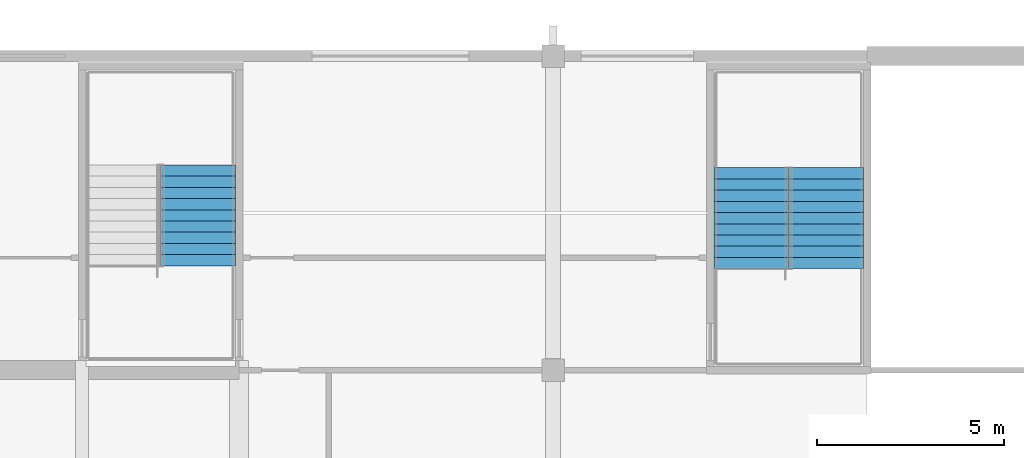
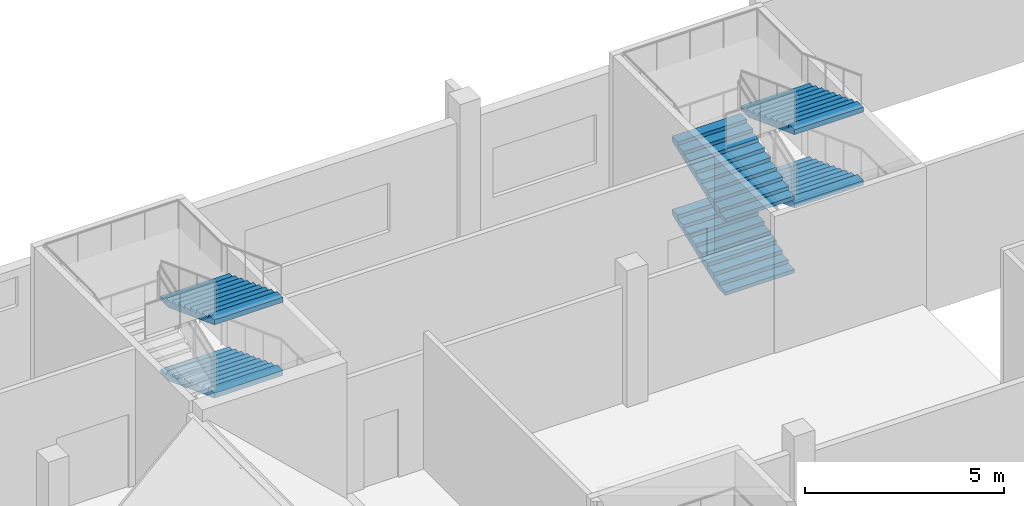
# One storey, part 37 of 56: 6 stair flights, 2 elements without a shape of their own.
"""IFC4 building model written with IfcOpenShell, lengths in metres."""

from ifc_helpers import new_model, si_unit, direction, frame, origin, place, context, subcontext, project, spatial, faceted_brep, material, type_object, element, aggregate, save


model = new_model("IFC4")

# Units and contexts
model_context = context("Model", 3, precision=1e-05, world=origin(), true_north=direction((0.0, 1.0)))
body_context = subcontext(model_context, "Body", "Model", "MODEL_VIEW")
ifc_project = project(units=[si_unit("LENGTHUNIT", "METRE"), si_unit("AREAUNIT", "SQUARE_METRE"), si_unit("VOLUMEUNIT", "CUBIC_METRE"), si_unit("PLANEANGLEUNIT", "RADIAN"), si_unit("MASSUNIT", "GRAM", prefix="KILO")], contexts=[model_context])

# Site, building, storey
site_placement = place(None, origin())
site = spatial("IfcSite", under=ifc_project, at=site_placement, CompositionType="ELEMENT")
building_placement = place(site_placement, origin())
building = spatial("IfcBuilding", under=site, at=building_placement, Name="Rulbaag Community and Learning Centre", CompositionType="ELEMENT")
storey_placement = place(building_placement, frame((0.0, 0.0, 9.89990234375)))
storey = spatial("IfcBuildingStorey", under=building, at=storey_placement, Name="L02", CompositionType="ELEMENT", Elevation=9.89990234375)

# Stair, stair flights
ifc_material = material(Name="Concrete M40", Category="concrete")
stair_type = type_object("IfcStairType", Name="ST-2000 STAIR 2000 WIDE", PredefinedType="HALF_TURN_STAIR", material=ifc_material)
stair_1_placement = place(storey_placement, origin())
stair_1 = element("IfcStair", 1, at=stair_1_placement, inside=storey, type_object=stair_type, Name="Stair ST-H0 L02", PredefinedType="HALF_TURN_STAIR")
stair_flight_type = type_object("IfcStairFlightType", Name="FL-2000 FLIGHT 2000 WIDE Concrete M40", PredefinedType="STRAIGHT", material=ifc_material)
stair_flight_1_placement = place(storey_placement, frame((24.10009765625, 47.487548828125, 1.125), z_axis=(0.0, 0.0, 1.0), x_axis=(0.0, -1.0, 0.0)))
stair_flight_1 = element("IfcStairFlight", 2, at=stair_flight_1_placement, type_object=stair_flight_type, Name="ST-H0 flight 2", NumberOfRisers=10, NumberOfTreads=9, PredefinedType="STRAIGHT", RiserHeight=0.1125, TreadLength=0.3, context=body_context, shape_type="Brep", body=[
    faceted_brep([(0.3984375, -1.0, 0.0), (2.699951171875, -1.0, 0.863037109375), (2.699951171875, -1.0, 1.012451171875), (2.39990234375, -1.0, 1.012451171875), (2.39990234375, -1.0, 0.89990234375), (2.10009765625, -1.0, 0.89990234375), (2.10009765625, -1.0, 0.78759765625), (1.800048828125, -1.0, 0.78759765625), (1.800048828125, -1.0, 0.675048828125), (1.5, -1.0, 0.675048828125), (1.5, -1.0, 0.5625), (1.199951171875, -1.0, 0.5625), (1.199951171875, -1.0, 0.449951171875), (0.89990234375, -1.0, 0.449951171875), (0.89990234375, -1.0, 0.33740234375), (0.60009765625, -1.0, 0.33740234375), (0.60009765625, -1.0, 0.22509765625), (0.300048828125, -1.0, 0.22509765625), (0.300048828125, -1.0, 0.112548828125), (0.0, -1.0, 0.112548828125), (0.0, -1.0, 0.0), (0.0, 1.0, 0.0), (0.0, 1.0, 0.112548828125), (0.300048828125, 1.0, 0.112548828125), (0.300048828125, 1.0, 0.22509765625), (0.60009765625, 1.0, 0.22509765625), (0.60009765625, 1.0, 0.33740234375), (0.89990234375, 1.0, 0.33740234375), (0.89990234375, 1.0, 0.449951171875), (1.199951171875, 1.0, 0.449951171875), (1.199951171875, 1.0, 0.5625), (1.5, 1.0, 0.5625), (1.5, 1.0, 0.675048828125), (1.800048828125, 1.0, 0.675048828125), (1.800048828125, 1.0, 0.78759765625), (2.10009765625, 1.0, 0.78759765625), (2.10009765625, 1.0, 0.89990234375), (2.39990234375, 1.0, 0.89990234375), (2.39990234375, 1.0, 1.012451171875), (2.699951171875, 1.0, 1.012451171875), (2.699951171875, 1.0, 0.863037109375), (0.3984375, 1.0, 0.0), (0.0, -0.333251953125, 0.112548828125), (0.0, -0.333251953125, 0.0), (0.0, 0.333251953125, 0.112548828125), (0.0, 0.333251953125, 0.0), (0.300048828125, -0.333251953125, 0.112548828125), (0.300048828125, 0.333251953125, 0.112548828125), (0.300048828125, -0.333251953125, 0.22509765625), (0.300048828125, 0.333251953125, 0.22509765625), (0.60009765625, -0.333251953125, 0.22509765625), (0.60009765625, 0.333251953125, 0.22509765625), (0.60009765625, -0.333251953125, 0.33740234375), (0.60009765625, 0.333251953125, 0.33740234375), (0.89990234375, -0.333251953125, 0.33740234375), (0.89990234375, 0.333251953125, 0.33740234375), (0.89990234375, -0.333251953125, 0.449951171875), (0.89990234375, 0.333251953125, 0.449951171875), (1.199951171875, -0.333251953125, 0.449951171875), (1.199951171875, 0.333251953125, 0.449951171875), (1.199951171875, -0.333251953125, 0.5625), (1.199951171875, 0.333251953125, 0.5625), (1.5, -0.333251953125, 0.5625), (1.5, 0.333251953125, 0.5625), (1.5, -0.333251953125, 0.675048828125), (1.5, 0.333251953125, 0.675048828125), (1.800048828125, -0.333251953125, 0.675048828125), (1.800048828125, 0.333251953125, 0.675048828125), (1.800048828125, -0.333251953125, 0.78759765625), (1.800048828125, 0.333251953125, 0.78759765625), (2.10009765625, -0.333251953125, 0.78759765625), (2.10009765625, 0.333251953125, 0.78759765625), (2.10009765625, -0.333251953125, 0.89990234375), (2.10009765625, 0.333251953125, 0.89990234375), (2.39990234375, -0.333251953125, 0.89990234375), (2.39990234375, 0.333251953125, 0.89990234375), (2.39990234375, -0.333251953125, 1.012451171875), (2.39990234375, 0.333251953125, 1.012451171875), (2.699951171875, -0.333251953125, 1.012451171875), (2.699951171875, 0.333251953125, 1.012451171875), (2.699951171875, -0.333251953125, 0.863037109375), (2.699951171875, 0.333251953125, 0.863037109375), (0.3984375, -0.333251953125, 0.0), (0.3984375, 0.333251953125, 0.0)], [[[0, 1, 2, 3, 4, 5, 6, 7, 8, 9, 10, 11, 12, 13, 14, 15, 16, 17, 18, 19, 20]], [[21, 22, 23, 24, 25, 26, 27, 28, 29, 30, 31, 32, 33, 34, 35, 36, 37, 38, 39, 40, 41]], [[20, 19, 42, 43]], [[43, 42, 44, 45]], [[45, 44, 22, 21]], [[19, 18, 46, 42]], [[42, 46, 47, 44]], [[44, 47, 23, 22]], [[18, 17, 48, 46]], [[46, 48, 49, 47]], [[47, 49, 24, 23]], [[17, 16, 50, 48]], [[48, 50, 51, 49]], [[49, 51, 25, 24]], [[16, 15, 52, 50]], [[50, 52, 53, 51]], [[51, 53, 26, 25]], [[15, 14, 54, 52]], [[52, 54, 55, 53]], [[53, 55, 27, 26]], [[14, 13, 56, 54]], [[54, 56, 57, 55]], [[55, 57, 28, 27]], [[13, 12, 58, 56]], [[56, 58, 59, 57]], [[57, 59, 29, 28]], [[12, 11, 60, 58]], [[58, 60, 61, 59]], [[59, 61, 30, 29]], [[11, 10, 62, 60]], [[60, 62, 63, 61]], [[61, 63, 31, 30]], [[10, 9, 64, 62]], [[62, 64, 65, 63]], [[63, 65, 32, 31]], [[9, 8, 66, 64]], [[64, 66, 67, 65]], [[65, 67, 33, 32]], [[8, 7, 68, 66]], [[66, 68, 69, 67]], [[67, 69, 34, 33]], [[7, 6, 70, 68]], [[68, 70, 71, 69]], [[69, 71, 35, 34]], [[6, 5, 72, 70]], [[70, 72, 73, 71]], [[71, 73, 36, 35]], [[5, 4, 74, 72]], [[72, 74, 75, 73]], [[73, 75, 37, 36]], [[4, 3, 76, 74]], [[74, 76, 77, 75]], [[75, 77, 38, 37]], [[3, 2, 78, 76]], [[76, 78, 79, 77]], [[77, 79, 39, 38]], [[2, 1, 80, 78]], [[78, 80, 81, 79]], [[79, 81, 40, 39]], [[1, 0, 82, 80]], [[80, 82, 83, 81]], [[81, 83, 41, 40]], [[0, 20, 43, 82]], [[82, 43, 45, 83]], [[83, 45, 21, 41]]]),
])
stair_flight_2_placement = place(storey_placement, frame((24.10009765625, 47.487548828125, 3.375), z_axis=(0.0, 0.0, 1.0), x_axis=(0.0, -1.0, 0.0)))
stair_flight_2 = element("IfcStairFlight", 3, at=stair_flight_2_placement, type_object=stair_flight_type, Name="ST-H0 flight 4", NumberOfRisers=10, NumberOfTreads=9, PredefinedType="STRAIGHT", RiserHeight=0.1125, TreadLength=0.3, context=body_context, shape_type="Brep", body=[
    faceted_brep([(0.3984375, -1.0, 0.0), (2.699951171875, -1.0, 0.863037109375), (2.699951171875, -1.0, 1.012451171875), (2.39990234375, -1.0, 1.012451171875), (2.39990234375, -1.0, 0.89990234375), (2.10009765625, -1.0, 0.89990234375), (2.10009765625, -1.0, 0.78759765625), (1.800048828125, -1.0, 0.78759765625), (1.800048828125, -1.0, 0.675048828125), (1.5, -1.0, 0.675048828125), (1.5, -1.0, 0.5625), (1.199951171875, -1.0, 0.5625), (1.199951171875, -1.0, 0.449951171875), (0.89990234375, -1.0, 0.449951171875), (0.89990234375, -1.0, 0.33740234375), (0.60009765625, -1.0, 0.33740234375), (0.60009765625, -1.0, 0.22509765625), (0.300048828125, -1.0, 0.22509765625), (0.300048828125, -1.0, 0.112548828125), (0.0, -1.0, 0.112548828125), (0.0, -1.0, 0.0), (0.0, 1.0, 0.0), (0.0, 1.0, 0.112548828125), (0.300048828125, 1.0, 0.112548828125), (0.300048828125, 1.0, 0.22509765625), (0.60009765625, 1.0, 0.22509765625), (0.60009765625, 1.0, 0.33740234375), (0.89990234375, 1.0, 0.33740234375), (0.89990234375, 1.0, 0.449951171875), (1.199951171875, 1.0, 0.449951171875), (1.199951171875, 1.0, 0.5625), (1.5, 1.0, 0.5625), (1.5, 1.0, 0.675048828125), (1.800048828125, 1.0, 0.675048828125), (1.800048828125, 1.0, 0.78759765625), (2.10009765625, 1.0, 0.78759765625), (2.10009765625, 1.0, 0.89990234375), (2.39990234375, 1.0, 0.89990234375), (2.39990234375, 1.0, 1.012451171875), (2.699951171875, 1.0, 1.012451171875), (2.699951171875, 1.0, 0.863037109375), (0.3984375, 1.0, 0.0), (0.0, -0.333251953125, 0.112548828125), (0.0, -0.333251953125, 0.0), (0.0, 0.333251953125, 0.112548828125), (0.0, 0.333251953125, 0.0), (0.300048828125, -0.333251953125, 0.112548828125), (0.300048828125, 0.333251953125, 0.112548828125), (0.300048828125, -0.333251953125, 0.22509765625), (0.300048828125, 0.333251953125, 0.22509765625), (0.60009765625, -0.333251953125, 0.22509765625), (0.60009765625, 0.333251953125, 0.22509765625), (0.60009765625, -0.333251953125, 0.33740234375), (0.60009765625, 0.333251953125, 0.33740234375), (0.89990234375, -0.333251953125, 0.33740234375), (0.89990234375, 0.333251953125, 0.33740234375), (0.89990234375, -0.333251953125, 0.449951171875), (0.89990234375, 0.333251953125, 0.449951171875), (1.199951171875, -0.333251953125, 0.449951171875), (1.199951171875, 0.333251953125, 0.449951171875), (1.199951171875, -0.333251953125, 0.5625), (1.199951171875, 0.333251953125, 0.5625), (1.5, -0.333251953125, 0.5625), (1.5, 0.333251953125, 0.5625), (1.5, -0.333251953125, 0.675048828125), (1.5, 0.333251953125, 0.675048828125), (1.800048828125, -0.333251953125, 0.675048828125), (1.800048828125, 0.333251953125, 0.675048828125), (1.800048828125, -0.333251953125, 0.78759765625), (1.800048828125, 0.333251953125, 0.78759765625), (2.10009765625, -0.333251953125, 0.78759765625), (2.10009765625, 0.333251953125, 0.78759765625), (2.10009765625, -0.333251953125, 0.89990234375), (2.10009765625, 0.333251953125, 0.89990234375), (2.39990234375, -0.333251953125, 0.89990234375), (2.39990234375, 0.333251953125, 0.89990234375), (2.39990234375, -0.333251953125, 1.012451171875), (2.39990234375, 0.333251953125, 1.012451171875), (2.699951171875, -0.333251953125, 1.012451171875), (2.699951171875, 0.333251953125, 1.012451171875), (2.699951171875, -0.333251953125, 0.863037109375), (2.699951171875, 0.333251953125, 0.863037109375), (0.3984375, -0.333251953125, 0.0), (0.3984375, 0.333251953125, 0.0)], [[[0, 1, 2, 3, 4, 5, 6, 7, 8, 9, 10, 11, 12, 13, 14, 15, 16, 17, 18, 19, 20]], [[21, 22, 23, 24, 25, 26, 27, 28, 29, 30, 31, 32, 33, 34, 35, 36, 37, 38, 39, 40, 41]], [[20, 19, 42, 43]], [[43, 42, 44, 45]], [[45, 44, 22, 21]], [[19, 18, 46, 42]], [[42, 46, 47, 44]], [[44, 47, 23, 22]], [[18, 17, 48, 46]], [[46, 48, 49, 47]], [[47, 49, 24, 23]], [[17, 16, 50, 48]], [[48, 50, 51, 49]], [[49, 51, 25, 24]], [[16, 15, 52, 50]], [[50, 52, 53, 51]], [[51, 53, 26, 25]], [[15, 14, 54, 52]], [[52, 54, 55, 53]], [[53, 55, 27, 26]], [[14, 13, 56, 54]], [[54, 56, 57, 55]], [[55, 57, 28, 27]], [[13, 12, 58, 56]], [[56, 58, 59, 57]], [[57, 59, 29, 28]], [[12, 11, 60, 58]], [[58, 60, 61, 59]], [[59, 61, 30, 29]], [[11, 10, 62, 60]], [[60, 62, 63, 61]], [[61, 63, 31, 30]], [[10, 9, 64, 62]], [[62, 64, 65, 63]], [[63, 65, 32, 31]], [[9, 8, 66, 64]], [[64, 66, 67, 65]], [[65, 67, 33, 32]], [[8, 7, 68, 66]], [[66, 68, 69, 67]], [[67, 69, 34, 33]], [[7, 6, 70, 68]], [[68, 70, 71, 69]], [[69, 71, 35, 34]], [[6, 5, 72, 70]], [[70, 72, 73, 71]], [[71, 73, 36, 35]], [[5, 4, 74, 72]], [[72, 74, 75, 73]], [[73, 75, 37, 36]], [[4, 3, 76, 74]], [[74, 76, 77, 75]], [[75, 77, 38, 37]], [[3, 2, 78, 76]], [[76, 78, 79, 77]], [[77, 79, 39, 38]], [[2, 1, 80, 78]], [[78, 80, 81, 79]], [[79, 81, 40, 39]], [[1, 0, 82, 80]], [[80, 82, 83, 81]], [[81, 83, 41, 40]], [[0, 20, 43, 82]], [[82, 43, 45, 83]], [[83, 45, 21, 41]]]),
])
aggregate(stair_1, [stair_flight_1, stair_flight_2])

stair_2_placement = place(storey_placement, origin())
stair_2 = element("IfcStair", 4, at=stair_2_placement, inside=storey, type_object=stair_type, Name="Stair ST-H5 L02", PredefinedType="HALF_TURN_STAIR")
stair_flight_3_placement = place(storey_placement, frame((38.89990234375, 44.71240234375, 0.0), z_axis=(0.0, 0.0, 1.0), x_axis=(0.0, 1.0, 0.0)))
stair_flight_3 = element("IfcStairFlight", 5, at=stair_flight_3_placement, type_object=stair_flight_type, Name="ST-H5 flight 1", NumberOfRisers=10, NumberOfTreads=9, PredefinedType="STRAIGHT", RiserHeight=0.1125, TreadLength=0.3, context=body_context, shape_type="Brep", body=[
    faceted_brep([(0.3984375, -1.0, 0.0), (2.699951171875, -1.0, 0.863037109375), (2.699951171875, -1.0, 1.012451171875), (2.39990234375, -1.0, 1.012451171875), (2.39990234375, -1.0, 0.89990234375), (2.10009765625, -1.0, 0.89990234375), (2.10009765625, -1.0, 0.78759765625), (1.800048828125, -1.0, 0.78759765625), (1.800048828125, -1.0, 0.675048828125), (1.5, -1.0, 0.675048828125), (1.5, -1.0, 0.5625), (1.199951171875, -1.0, 0.5625), (1.199951171875, -1.0, 0.449951171875), (0.89990234375, -1.0, 0.449951171875), (0.89990234375, -1.0, 0.33740234375), (0.60009765625, -1.0, 0.33740234375), (0.60009765625, -1.0, 0.22509765625), (0.300048828125, -1.0, 0.22509765625), (0.300048828125, -1.0, 0.112548828125), (0.0, -1.0, 0.112548828125), (0.0, -1.0, 0.0), (0.0, 1.0, 0.0), (0.0, 1.0, 0.112548828125), (0.300048828125, 1.0, 0.112548828125), (0.300048828125, 1.0, 0.22509765625), (0.60009765625, 1.0, 0.22509765625), (0.60009765625, 1.0, 0.33740234375), (0.89990234375, 1.0, 0.33740234375), (0.89990234375, 1.0, 0.449951171875), (1.199951171875, 1.0, 0.449951171875), (1.199951171875, 1.0, 0.5625), (1.5, 1.0, 0.5625), (1.5, 1.0, 0.675048828125), (1.800048828125, 1.0, 0.675048828125), (1.800048828125, 1.0, 0.78759765625), (2.10009765625, 1.0, 0.78759765625), (2.10009765625, 1.0, 0.89990234375), (2.39990234375, 1.0, 0.89990234375), (2.39990234375, 1.0, 1.012451171875), (2.699951171875, 1.0, 1.012451171875), (2.699951171875, 1.0, 0.863037109375), (0.3984375, 1.0, 0.0), (0.0, -0.333251953125, 0.112548828125), (0.0, -0.333251953125, 0.0), (0.0, 0.333251953125, 0.112548828125), (0.0, 0.333251953125, 0.0), (0.300048828125, -0.333251953125, 0.112548828125), (0.300048828125, 0.333251953125, 0.112548828125), (0.300048828125, -0.333251953125, 0.22509765625), (0.300048828125, 0.333251953125, 0.22509765625), (0.60009765625, -0.333251953125, 0.22509765625), (0.60009765625, 0.333251953125, 0.22509765625), (0.60009765625, -0.333251953125, 0.33740234375), (0.60009765625, 0.333251953125, 0.33740234375), (0.89990234375, -0.333251953125, 0.33740234375), (0.89990234375, 0.333251953125, 0.33740234375), (0.89990234375, -0.333251953125, 0.449951171875), (0.89990234375, 0.333251953125, 0.449951171875), (1.199951171875, -0.333251953125, 0.449951171875), (1.199951171875, 0.333251953125, 0.449951171875), (1.199951171875, -0.333251953125, 0.5625), (1.199951171875, 0.333251953125, 0.5625), (1.5, -0.333251953125, 0.5625), (1.5, 0.333251953125, 0.5625), (1.5, -0.333251953125, 0.675048828125), (1.5, 0.333251953125, 0.675048828125), (1.800048828125, -0.333251953125, 0.675048828125), (1.800048828125, 0.333251953125, 0.675048828125), (1.800048828125, -0.333251953125, 0.78759765625), (1.800048828125, 0.333251953125, 0.78759765625), (2.10009765625, -0.333251953125, 0.78759765625), (2.10009765625, 0.333251953125, 0.78759765625), (2.10009765625, -0.333251953125, 0.89990234375), (2.10009765625, 0.333251953125, 0.89990234375), (2.39990234375, -0.333251953125, 0.89990234375), (2.39990234375, 0.333251953125, 0.89990234375), (2.39990234375, -0.333251953125, 1.012451171875), (2.39990234375, 0.333251953125, 1.012451171875), (2.699951171875, -0.333251953125, 1.012451171875), (2.699951171875, 0.333251953125, 1.012451171875), (2.699951171875, -0.333251953125, 0.863037109375), (2.699951171875, 0.333251953125, 0.863037109375), (0.3984375, -0.333251953125, 0.0), (0.3984375, 0.333251953125, 0.0)], [[[0, 1, 2, 3, 4, 5, 6, 7, 8, 9, 10, 11, 12, 13, 14, 15, 16, 17, 18, 19, 20]], [[21, 22, 23, 24, 25, 26, 27, 28, 29, 30, 31, 32, 33, 34, 35, 36, 37, 38, 39, 40, 41]], [[20, 19, 42, 43]], [[43, 42, 44, 45]], [[45, 44, 22, 21]], [[19, 18, 46, 42]], [[42, 46, 47, 44]], [[44, 47, 23, 22]], [[18, 17, 48, 46]], [[46, 48, 49, 47]], [[47, 49, 24, 23]], [[17, 16, 50, 48]], [[48, 50, 51, 49]], [[49, 51, 25, 24]], [[16, 15, 52, 50]], [[50, 52, 53, 51]], [[51, 53, 26, 25]], [[15, 14, 54, 52]], [[52, 54, 55, 53]], [[53, 55, 27, 26]], [[14, 13, 56, 54]], [[54, 56, 57, 55]], [[55, 57, 28, 27]], [[13, 12, 58, 56]], [[56, 58, 59, 57]], [[57, 59, 29, 28]], [[12, 11, 60, 58]], [[58, 60, 61, 59]], [[59, 61, 30, 29]], [[11, 10, 62, 60]], [[60, 62, 63, 61]], [[61, 63, 31, 30]], [[10, 9, 64, 62]], [[62, 64, 65, 63]], [[63, 65, 32, 31]], [[9, 8, 66, 64]], [[64, 66, 67, 65]], [[65, 67, 33, 32]], [[8, 7, 68, 66]], [[66, 68, 69, 67]], [[67, 69, 34, 33]], [[7, 6, 70, 68]], [[68, 70, 71, 69]], [[69, 71, 35, 34]], [[6, 5, 72, 70]], [[70, 72, 73, 71]], [[71, 73, 36, 35]], [[5, 4, 74, 72]], [[72, 74, 75, 73]], [[73, 75, 37, 36]], [[4, 3, 76, 74]], [[74, 76, 77, 75]], [[75, 77, 38, 37]], [[3, 2, 78, 76]], [[76, 78, 79, 77]], [[77, 79, 39, 38]], [[2, 1, 80, 78]], [[78, 80, 81, 79]], [[79, 81, 40, 39]], [[1, 0, 82, 80]], [[80, 82, 83, 81]], [[81, 83, 41, 40]], [[0, 20, 43, 82]], [[82, 43, 45, 83]], [[83, 45, 21, 41]]]),
])
stair_flight_4_placement = place(storey_placement, frame((40.89990234375, 47.41259765625, 1.125), z_axis=(0.0, 0.0, 1.0), x_axis=(0.0, -1.0, 0.0)))
stair_flight_4 = element("IfcStairFlight", 6, at=stair_flight_4_placement, type_object=stair_flight_type, Name="ST-H5 flight 2", NumberOfRisers=10, NumberOfTreads=9, PredefinedType="STRAIGHT", RiserHeight=0.1125, TreadLength=0.3, context=body_context, shape_type="Brep", body=[
    faceted_brep([(0.3984375, -1.0, 0.0), (2.699951171875, -1.0, 0.863037109375), (2.699951171875, -1.0, 1.012451171875), (2.39990234375, -1.0, 1.012451171875), (2.39990234375, -1.0, 0.89990234375), (2.10009765625, -1.0, 0.89990234375), (2.10009765625, -1.0, 0.78759765625), (1.800048828125, -1.0, 0.78759765625), (1.800048828125, -1.0, 0.675048828125), (1.5, -1.0, 0.675048828125), (1.5, -1.0, 0.5625), (1.199951171875, -1.0, 0.5625), (1.199951171875, -1.0, 0.449951171875), (0.89990234375, -1.0, 0.449951171875), (0.89990234375, -1.0, 0.33740234375), (0.60009765625, -1.0, 0.33740234375), (0.60009765625, -1.0, 0.22509765625), (0.300048828125, -1.0, 0.22509765625), (0.300048828125, -1.0, 0.112548828125), (0.0, -1.0, 0.112548828125), (0.0, -1.0, 0.0), (0.0, 1.0, 0.0), (0.0, 1.0, 0.112548828125), (0.300048828125, 1.0, 0.112548828125), (0.300048828125, 1.0, 0.22509765625), (0.60009765625, 1.0, 0.22509765625), (0.60009765625, 1.0, 0.33740234375), (0.89990234375, 1.0, 0.33740234375), (0.89990234375, 1.0, 0.449951171875), (1.199951171875, 1.0, 0.449951171875), (1.199951171875, 1.0, 0.5625), (1.5, 1.0, 0.5625), (1.5, 1.0, 0.675048828125), (1.800048828125, 1.0, 0.675048828125), (1.800048828125, 1.0, 0.78759765625), (2.10009765625, 1.0, 0.78759765625), (2.10009765625, 1.0, 0.89990234375), (2.39990234375, 1.0, 0.89990234375), (2.39990234375, 1.0, 1.012451171875), (2.699951171875, 1.0, 1.012451171875), (2.699951171875, 1.0, 0.863037109375), (0.3984375, 1.0, 0.0), (0.0, -0.333251953125, 0.112548828125), (0.0, -0.333251953125, 0.0), (0.0, 0.333251953125, 0.112548828125), (0.0, 0.333251953125, 0.0), (0.300048828125, -0.333251953125, 0.112548828125), (0.300048828125, 0.333251953125, 0.112548828125), (0.300048828125, -0.333251953125, 0.22509765625), (0.300048828125, 0.333251953125, 0.22509765625), (0.60009765625, -0.333251953125, 0.22509765625), (0.60009765625, 0.333251953125, 0.22509765625), (0.60009765625, -0.333251953125, 0.33740234375), (0.60009765625, 0.333251953125, 0.33740234375), (0.89990234375, -0.333251953125, 0.33740234375), (0.89990234375, 0.333251953125, 0.33740234375), (0.89990234375, -0.333251953125, 0.449951171875), (0.89990234375, 0.333251953125, 0.449951171875), (1.199951171875, -0.333251953125, 0.449951171875), (1.199951171875, 0.333251953125, 0.449951171875), (1.199951171875, -0.333251953125, 0.5625), (1.199951171875, 0.333251953125, 0.5625), (1.5, -0.333251953125, 0.5625), (1.5, 0.333251953125, 0.5625), (1.5, -0.333251953125, 0.675048828125), (1.5, 0.333251953125, 0.675048828125), (1.800048828125, -0.333251953125, 0.675048828125), (1.800048828125, 0.333251953125, 0.675048828125), (1.800048828125, -0.333251953125, 0.78759765625), (1.800048828125, 0.333251953125, 0.78759765625), (2.10009765625, -0.333251953125, 0.78759765625), (2.10009765625, 0.333251953125, 0.78759765625), (2.10009765625, -0.333251953125, 0.89990234375), (2.10009765625, 0.333251953125, 0.89990234375), (2.39990234375, -0.333251953125, 0.89990234375), (2.39990234375, 0.333251953125, 0.89990234375), (2.39990234375, -0.333251953125, 1.012451171875), (2.39990234375, 0.333251953125, 1.012451171875), (2.699951171875, -0.333251953125, 1.012451171875), (2.699951171875, 0.333251953125, 1.012451171875), (2.699951171875, -0.333251953125, 0.863037109375), (2.699951171875, 0.333251953125, 0.863037109375), (0.3984375, -0.333251953125, 0.0), (0.3984375, 0.333251953125, 0.0)], [[[0, 1, 2, 3, 4, 5, 6, 7, 8, 9, 10, 11, 12, 13, 14, 15, 16, 17, 18, 19, 20]], [[21, 22, 23, 24, 25, 26, 27, 28, 29, 30, 31, 32, 33, 34, 35, 36, 37, 38, 39, 40, 41]], [[20, 19, 42, 43]], [[43, 42, 44, 45]], [[45, 44, 22, 21]], [[19, 18, 46, 42]], [[42, 46, 47, 44]], [[44, 47, 23, 22]], [[18, 17, 48, 46]], [[46, 48, 49, 47]], [[47, 49, 24, 23]], [[17, 16, 50, 48]], [[48, 50, 51, 49]], [[49, 51, 25, 24]], [[16, 15, 52, 50]], [[50, 52, 53, 51]], [[51, 53, 26, 25]], [[15, 14, 54, 52]], [[52, 54, 55, 53]], [[53, 55, 27, 26]], [[14, 13, 56, 54]], [[54, 56, 57, 55]], [[55, 57, 28, 27]], [[13, 12, 58, 56]], [[56, 58, 59, 57]], [[57, 59, 29, 28]], [[12, 11, 60, 58]], [[58, 60, 61, 59]], [[59, 61, 30, 29]], [[11, 10, 62, 60]], [[60, 62, 63, 61]], [[61, 63, 31, 30]], [[10, 9, 64, 62]], [[62, 64, 65, 63]], [[63, 65, 32, 31]], [[9, 8, 66, 64]], [[64, 66, 67, 65]], [[65, 67, 33, 32]], [[8, 7, 68, 66]], [[66, 68, 69, 67]], [[67, 69, 34, 33]], [[7, 6, 70, 68]], [[68, 70, 71, 69]], [[69, 71, 35, 34]], [[6, 5, 72, 70]], [[70, 72, 73, 71]], [[71, 73, 36, 35]], [[5, 4, 74, 72]], [[72, 74, 75, 73]], [[73, 75, 37, 36]], [[4, 3, 76, 74]], [[74, 76, 77, 75]], [[75, 77, 38, 37]], [[3, 2, 78, 76]], [[76, 78, 79, 77]], [[77, 79, 39, 38]], [[2, 1, 80, 78]], [[78, 80, 81, 79]], [[79, 81, 40, 39]], [[1, 0, 82, 80]], [[80, 82, 83, 81]], [[81, 83, 41, 40]], [[0, 20, 43, 82]], [[82, 43, 45, 83]], [[83, 45, 21, 41]]]),
])
stair_flight_5_placement = place(storey_placement, frame((38.89990234375, 44.71240234375, 2.25), z_axis=(0.0, 0.0, 1.0), x_axis=(0.0, 1.0, 0.0)))
stair_flight_5 = element("IfcStairFlight", 7, at=stair_flight_5_placement, type_object=stair_flight_type, Name="ST-H5 flight 3", NumberOfRisers=10, NumberOfTreads=9, PredefinedType="STRAIGHT", RiserHeight=0.1125, TreadLength=0.3, context=body_context, shape_type="Brep", body=[
    faceted_brep([(0.3984375, -1.0, 0.0), (2.699951171875, -1.0, 0.863037109375), (2.699951171875, -1.0, 1.012451171875), (2.39990234375, -1.0, 1.012451171875), (2.39990234375, -1.0, 0.89990234375), (2.10009765625, -1.0, 0.89990234375), (2.10009765625, -1.0, 0.78759765625), (1.800048828125, -1.0, 0.78759765625), (1.800048828125, -1.0, 0.675048828125), (1.5, -1.0, 0.675048828125), (1.5, -1.0, 0.5625), (1.199951171875, -1.0, 0.5625), (1.199951171875, -1.0, 0.449951171875), (0.89990234375, -1.0, 0.449951171875), (0.89990234375, -1.0, 0.33740234375), (0.60009765625, -1.0, 0.33740234375), (0.60009765625, -1.0, 0.22509765625), (0.300048828125, -1.0, 0.22509765625), (0.300048828125, -1.0, 0.112548828125), (0.0, -1.0, 0.112548828125), (0.0, -1.0, 0.0), (0.0, 1.0, 0.0), (0.0, 1.0, 0.112548828125), (0.300048828125, 1.0, 0.112548828125), (0.300048828125, 1.0, 0.22509765625), (0.60009765625, 1.0, 0.22509765625), (0.60009765625, 1.0, 0.33740234375), (0.89990234375, 1.0, 0.33740234375), (0.89990234375, 1.0, 0.449951171875), (1.199951171875, 1.0, 0.449951171875), (1.199951171875, 1.0, 0.5625), (1.5, 1.0, 0.5625), (1.5, 1.0, 0.675048828125), (1.800048828125, 1.0, 0.675048828125), (1.800048828125, 1.0, 0.78759765625), (2.10009765625, 1.0, 0.78759765625), (2.10009765625, 1.0, 0.89990234375), (2.39990234375, 1.0, 0.89990234375), (2.39990234375, 1.0, 1.012451171875), (2.699951171875, 1.0, 1.012451171875), (2.699951171875, 1.0, 0.863037109375), (0.3984375, 1.0, 0.0), (0.0, -0.333251953125, 0.112548828125), (0.0, -0.333251953125, 0.0), (0.0, 0.333251953125, 0.112548828125), (0.0, 0.333251953125, 0.0), (0.300048828125, -0.333251953125, 0.112548828125), (0.300048828125, 0.333251953125, 0.112548828125), (0.300048828125, -0.333251953125, 0.22509765625), (0.300048828125, 0.333251953125, 0.22509765625), (0.60009765625, -0.333251953125, 0.22509765625), (0.60009765625, 0.333251953125, 0.22509765625), (0.60009765625, -0.333251953125, 0.33740234375), (0.60009765625, 0.333251953125, 0.33740234375), (0.89990234375, -0.333251953125, 0.33740234375), (0.89990234375, 0.333251953125, 0.33740234375), (0.89990234375, -0.333251953125, 0.449951171875), (0.89990234375, 0.333251953125, 0.449951171875), (1.199951171875, -0.333251953125, 0.449951171875), (1.199951171875, 0.333251953125, 0.449951171875), (1.199951171875, -0.333251953125, 0.5625), (1.199951171875, 0.333251953125, 0.5625), (1.5, -0.333251953125, 0.5625), (1.5, 0.333251953125, 0.5625), (1.5, -0.333251953125, 0.675048828125), (1.5, 0.333251953125, 0.675048828125), (1.800048828125, -0.333251953125, 0.675048828125), (1.800048828125, 0.333251953125, 0.675048828125), (1.800048828125, -0.333251953125, 0.78759765625), (1.800048828125, 0.333251953125, 0.78759765625), (2.10009765625, -0.333251953125, 0.78759765625), (2.10009765625, 0.333251953125, 0.78759765625), (2.10009765625, -0.333251953125, 0.89990234375), (2.10009765625, 0.333251953125, 0.89990234375), (2.39990234375, -0.333251953125, 0.89990234375), (2.39990234375, 0.333251953125, 0.89990234375), (2.39990234375, -0.333251953125, 1.012451171875), (2.39990234375, 0.333251953125, 1.012451171875), (2.699951171875, -0.333251953125, 1.012451171875), (2.699951171875, 0.333251953125, 1.012451171875), (2.699951171875, -0.333251953125, 0.863037109375), (2.699951171875, 0.333251953125, 0.863037109375), (0.3984375, -0.333251953125, 0.0), (0.3984375, 0.333251953125, 0.0)], [[[0, 1, 2, 3, 4, 5, 6, 7, 8, 9, 10, 11, 12, 13, 14, 15, 16, 17, 18, 19, 20]], [[21, 22, 23, 24, 25, 26, 27, 28, 29, 30, 31, 32, 33, 34, 35, 36, 37, 38, 39, 40, 41]], [[20, 19, 42, 43]], [[43, 42, 44, 45]], [[45, 44, 22, 21]], [[19, 18, 46, 42]], [[42, 46, 47, 44]], [[44, 47, 23, 22]], [[18, 17, 48, 46]], [[46, 48, 49, 47]], [[47, 49, 24, 23]], [[17, 16, 50, 48]], [[48, 50, 51, 49]], [[49, 51, 25, 24]], [[16, 15, 52, 50]], [[50, 52, 53, 51]], [[51, 53, 26, 25]], [[15, 14, 54, 52]], [[52, 54, 55, 53]], [[53, 55, 27, 26]], [[14, 13, 56, 54]], [[54, 56, 57, 55]], [[55, 57, 28, 27]], [[13, 12, 58, 56]], [[56, 58, 59, 57]], [[57, 59, 29, 28]], [[12, 11, 60, 58]], [[58, 60, 61, 59]], [[59, 61, 30, 29]], [[11, 10, 62, 60]], [[60, 62, 63, 61]], [[61, 63, 31, 30]], [[10, 9, 64, 62]], [[62, 64, 65, 63]], [[63, 65, 32, 31]], [[9, 8, 66, 64]], [[64, 66, 67, 65]], [[65, 67, 33, 32]], [[8, 7, 68, 66]], [[66, 68, 69, 67]], [[67, 69, 34, 33]], [[7, 6, 70, 68]], [[68, 70, 71, 69]], [[69, 71, 35, 34]], [[6, 5, 72, 70]], [[70, 72, 73, 71]], [[71, 73, 36, 35]], [[5, 4, 74, 72]], [[72, 74, 75, 73]], [[73, 75, 37, 36]], [[4, 3, 76, 74]], [[74, 76, 77, 75]], [[75, 77, 38, 37]], [[3, 2, 78, 76]], [[76, 78, 79, 77]], [[77, 79, 39, 38]], [[2, 1, 80, 78]], [[78, 80, 81, 79]], [[79, 81, 40, 39]], [[1, 0, 82, 80]], [[80, 82, 83, 81]], [[81, 83, 41, 40]], [[0, 20, 43, 82]], [[82, 43, 45, 83]], [[83, 45, 21, 41]]]),
])
stair_flight_6_placement = place(storey_placement, frame((40.89990234375, 47.41259765625, 3.375), z_axis=(0.0, 0.0, 1.0), x_axis=(0.0, -1.0, 0.0)))
stair_flight_6 = element("IfcStairFlight", 8, at=stair_flight_6_placement, type_object=stair_flight_type, Name="ST-H5 flight 4", NumberOfRisers=10, NumberOfTreads=9, PredefinedType="STRAIGHT", RiserHeight=0.1125, TreadLength=0.3, context=body_context, shape_type="Brep", body=[
    faceted_brep([(0.3984375, -1.0, 0.0), (2.699951171875, -1.0, 0.863037109375), (2.699951171875, -1.0, 1.012451171875), (2.39990234375, -1.0, 1.012451171875), (2.39990234375, -1.0, 0.89990234375), (2.10009765625, -1.0, 0.89990234375), (2.10009765625, -1.0, 0.78759765625), (1.800048828125, -1.0, 0.78759765625), (1.800048828125, -1.0, 0.675048828125), (1.5, -1.0, 0.675048828125), (1.5, -1.0, 0.5625), (1.199951171875, -1.0, 0.5625), (1.199951171875, -1.0, 0.449951171875), (0.89990234375, -1.0, 0.449951171875), (0.89990234375, -1.0, 0.33740234375), (0.60009765625, -1.0, 0.33740234375), (0.60009765625, -1.0, 0.22509765625), (0.300048828125, -1.0, 0.22509765625), (0.300048828125, -1.0, 0.112548828125), (0.0, -1.0, 0.112548828125), (0.0, -1.0, 0.0), (0.0, 1.0, 0.0), (0.0, 1.0, 0.112548828125), (0.300048828125, 1.0, 0.112548828125), (0.300048828125, 1.0, 0.22509765625), (0.60009765625, 1.0, 0.22509765625), (0.60009765625, 1.0, 0.33740234375), (0.89990234375, 1.0, 0.33740234375), (0.89990234375, 1.0, 0.449951171875), (1.199951171875, 1.0, 0.449951171875), (1.199951171875, 1.0, 0.5625), (1.5, 1.0, 0.5625), (1.5, 1.0, 0.675048828125), (1.800048828125, 1.0, 0.675048828125), (1.800048828125, 1.0, 0.78759765625), (2.10009765625, 1.0, 0.78759765625), (2.10009765625, 1.0, 0.89990234375), (2.39990234375, 1.0, 0.89990234375), (2.39990234375, 1.0, 1.012451171875), (2.699951171875, 1.0, 1.012451171875), (2.699951171875, 1.0, 0.863037109375), (0.3984375, 1.0, 0.0), (0.0, -0.333251953125, 0.112548828125), (0.0, -0.333251953125, 0.0), (0.0, 0.333251953125, 0.112548828125), (0.0, 0.333251953125, 0.0), (0.300048828125, -0.333251953125, 0.112548828125), (0.300048828125, 0.333251953125, 0.112548828125), (0.300048828125, -0.333251953125, 0.22509765625), (0.300048828125, 0.333251953125, 0.22509765625), (0.60009765625, -0.333251953125, 0.22509765625), (0.60009765625, 0.333251953125, 0.22509765625), (0.60009765625, -0.333251953125, 0.33740234375), (0.60009765625, 0.333251953125, 0.33740234375), (0.89990234375, -0.333251953125, 0.33740234375), (0.89990234375, 0.333251953125, 0.33740234375), (0.89990234375, -0.333251953125, 0.449951171875), (0.89990234375, 0.333251953125, 0.449951171875), (1.199951171875, -0.333251953125, 0.449951171875), (1.199951171875, 0.333251953125, 0.449951171875), (1.199951171875, -0.333251953125, 0.5625), (1.199951171875, 0.333251953125, 0.5625), (1.5, -0.333251953125, 0.5625), (1.5, 0.333251953125, 0.5625), (1.5, -0.333251953125, 0.675048828125), (1.5, 0.333251953125, 0.675048828125), (1.800048828125, -0.333251953125, 0.675048828125), (1.800048828125, 0.333251953125, 0.675048828125), (1.800048828125, -0.333251953125, 0.78759765625), (1.800048828125, 0.333251953125, 0.78759765625), (2.10009765625, -0.333251953125, 0.78759765625), (2.10009765625, 0.333251953125, 0.78759765625), (2.10009765625, -0.333251953125, 0.89990234375), (2.10009765625, 0.333251953125, 0.89990234375), (2.39990234375, -0.333251953125, 0.89990234375), (2.39990234375, 0.333251953125, 0.89990234375), (2.39990234375, -0.333251953125, 1.012451171875), (2.39990234375, 0.333251953125, 1.012451171875), (2.699951171875, -0.333251953125, 1.012451171875), (2.699951171875, 0.333251953125, 1.012451171875), (2.699951171875, -0.333251953125, 0.863037109375), (2.699951171875, 0.333251953125, 0.863037109375), (0.3984375, -0.333251953125, 0.0), (0.3984375, 0.333251953125, 0.0)], [[[0, 1, 2, 3, 4, 5, 6, 7, 8, 9, 10, 11, 12, 13, 14, 15, 16, 17, 18, 19, 20]], [[21, 22, 23, 24, 25, 26, 27, 28, 29, 30, 31, 32, 33, 34, 35, 36, 37, 38, 39, 40, 41]], [[20, 19, 42, 43]], [[43, 42, 44, 45]], [[45, 44, 22, 21]], [[19, 18, 46, 42]], [[42, 46, 47, 44]], [[44, 47, 23, 22]], [[18, 17, 48, 46]], [[46, 48, 49, 47]], [[47, 49, 24, 23]], [[17, 16, 50, 48]], [[48, 50, 51, 49]], [[49, 51, 25, 24]], [[16, 15, 52, 50]], [[50, 52, 53, 51]], [[51, 53, 26, 25]], [[15, 14, 54, 52]], [[52, 54, 55, 53]], [[53, 55, 27, 26]], [[14, 13, 56, 54]], [[54, 56, 57, 55]], [[55, 57, 28, 27]], [[13, 12, 58, 56]], [[56, 58, 59, 57]], [[57, 59, 29, 28]], [[12, 11, 60, 58]], [[58, 60, 61, 59]], [[59, 61, 30, 29]], [[11, 10, 62, 60]], [[60, 62, 63, 61]], [[61, 63, 31, 30]], [[10, 9, 64, 62]], [[62, 64, 65, 63]], [[63, 65, 32, 31]], [[9, 8, 66, 64]], [[64, 66, 67, 65]], [[65, 67, 33, 32]], [[8, 7, 68, 66]], [[66, 68, 69, 67]], [[67, 69, 34, 33]], [[7, 6, 70, 68]], [[68, 70, 71, 69]], [[69, 71, 35, 34]], [[6, 5, 72, 70]], [[70, 72, 73, 71]], [[71, 73, 36, 35]], [[5, 4, 74, 72]], [[72, 74, 75, 73]], [[73, 75, 37, 36]], [[4, 3, 76, 74]], [[74, 76, 77, 75]], [[75, 77, 38, 37]], [[3, 2, 78, 76]], [[76, 78, 79, 77]], [[77, 79, 39, 38]], [[2, 1, 80, 78]], [[78, 80, 81, 79]], [[79, 81, 40, 39]], [[1, 0, 82, 80]], [[80, 82, 83, 81]], [[81, 83, 41, 40]], [[0, 20, 43, 82]], [[82, 43, 45, 83]], [[83, 45, 21, 41]]]),
])
aggregate(stair_2, [stair_flight_3, stair_flight_4, stair_flight_5, stair_flight_6])

save(model, "model.ifc")
